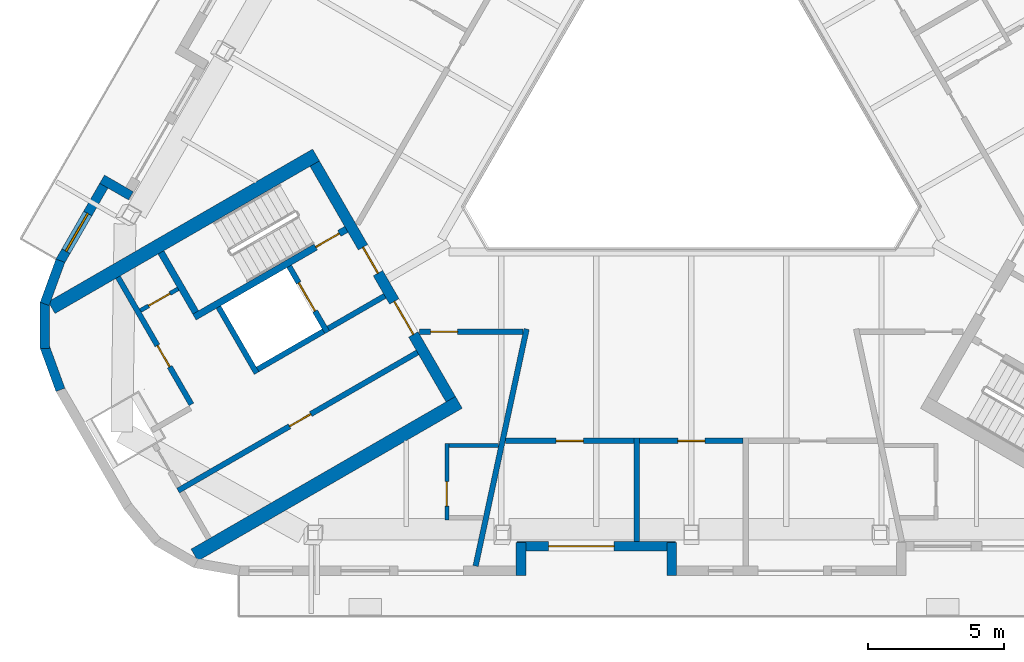
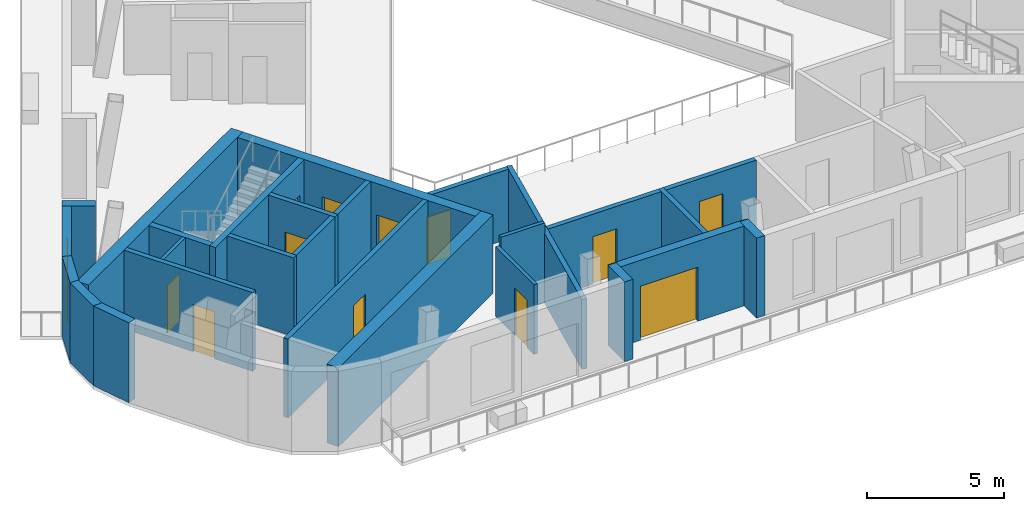
# One storey, part 3 of 13: 27 walls, 12 doors, 1 window, 13 openings.
"""IFC4 building model written with IfcOpenShell, lengths in metres."""

import ifcopenshell
import ifcopenshell.guid

model = None  # the IFC model being written
_history = None  # IfcOwnerHistory: only IFC2X3 demands one
_inside = {}  # id of a spatial element -> (the spatial element, [elements in it])
_under = {}  # id of a project, library or spatial element -> (it, [spatial elements below it])
_declared = {}  # id of a project -> (the project, [libraries it declares])
_typed = {}  # id of a type object -> (the type object, [elements of that type])
_made_of = {}  # id of a material, layer set ... -> (it, [elements and type objects made of it])


def new_model(schema):
    """Start an empty IFC model of exactly this schema.

    Asked for "IFC4X3", IfcOpenShell would pick the latest addendum, in which some entities
    have other attributes; the version numbers below select the first issue.
    IFC2X3 requires an IfcOwnerHistory on every rooted entity: one is made here for all.
    """
    global model, _history
    if schema == "IFC4X3":
        model = ifcopenshell.file(schema_version=(4, 3, 0, 0))
    else:
        model = ifcopenshell.file(schema=schema)
    _inside.clear()
    _under.clear()
    _declared.clear()
    _typed.clear()
    _made_of.clear()
    _history = None
    if model.schema == "IFC2X3":
        org = make("IfcOrganization", Name="unknown")
        user = make(
            "IfcPersonAndOrganization",
            ThePerson=make("IfcPerson", FamilyName="unknown"),
            TheOrganization=org,
        )
        app = make(
            "IfcApplication",
            ApplicationDeveloper=org,
            Version="unknown",
            ApplicationFullName="unknown",
            ApplicationIdentifier="unknown",
        )
        _history = make(
            "IfcOwnerHistory",
            OwningUser=user,
            OwningApplication=app,
            ChangeAction="ADDED",
            CreationDate=0,
        )
    return model


def make(cls, **values):
    """One entity of the class cls with the attributes given. An attribute that is None is left unset."""
    return model.create_entity(
        cls, **{name: value for name, value in values.items() if value is not None}
    )


def rooted(cls, **values):
    """An entity with a GlobalId (a new one), such as an element, a storey or a relation."""
    return make(cls, GlobalId=ifcopenshell.guid.new(), OwnerHistory=_history, **values)


def si_unit(unit_type, name, prefix=None):
    """IfcSIUnit, for example si_unit("LENGTHUNIT", "METRE", prefix="MILLI")."""
    return make("IfcSIUnit", UnitType=unit_type, Prefix=prefix, Name=name)


def assignment(units):
    """IfcUnitAssignment: the units of a project."""
    return None if units is None else make("IfcUnitAssignment", Units=units)


def point(xyz):
    """IfcCartesianPoint."""
    return None if xyz is None else make("IfcCartesianPoint", Coordinates=xyz)


def direction(xyz):
    """IfcDirection."""
    return None if xyz is None else make("IfcDirection", DirectionRatios=xyz)


def frame(location, z_axis=None, x_axis=None):
    """IfcAxis2Placement3D, a coordinate frame: its origin and axes. An axis left out is left unset."""
    return make(
        "IfcAxis2Placement3D",
        Location=point(location),
        Axis=direction(z_axis),
        RefDirection=direction(x_axis),
    )


def frame_2d(location, x_axis=None):
    """IfcAxis2Placement2D, a coordinate frame in the plane: its origin and x axis."""
    return make(
        "IfcAxis2Placement2D", Location=point(location), RefDirection=direction(x_axis)
    )


def origin():
    """The frame at (0, 0, 0) with its axes left unset."""
    return frame((0.0, 0.0, 0.0))


def place(relative_to, where):
    """IfcLocalPlacement: puts the frame where relative to a parent placement (None: the world)."""
    return make(
        "IfcLocalPlacement", PlacementRelTo=relative_to, RelativePlacement=where
    )


def context(
    kind, dimensions, precision=None, world=None, true_north=None, identifier=None
):
    """IfcGeometricRepresentationContext, for example the 3D "Model" context."""
    return make(
        "IfcGeometricRepresentationContext",
        ContextIdentifier=identifier,
        ContextType=kind,
        CoordinateSpaceDimension=dimensions,
        Precision=precision,
        WorldCoordinateSystem=world,
        TrueNorth=true_north,
    )


def subcontext(parent, identifier, kind, view, scale=None):
    """IfcGeometricRepresentationSubContext, for example "Body" below "Model"."""
    return make(
        "IfcGeometricRepresentationSubContext",
        ContextIdentifier=identifier,
        ContextType=kind,
        ParentContext=parent,
        TargetScale=scale,
        TargetView=view,
    )


def project(units=None, contexts=None):
    """IfcProject with its units and contexts."""
    return rooted(
        "IfcProject",
        Name="project",
        RepresentationContexts=contexts,
        UnitsInContext=assignment(units),
    )


def spatial(cls, under=None, at=None, **own):
    """A site, building, storey or space (cls), placed at a placement, below another one or the project."""
    s = rooted(cls, ObjectPlacement=at, **own)
    if under is not None:
        _under.setdefault(under.id(), (under, []))[1].append(s)
    return s


def profile(cls, at=None, kind="AREA", **sizes):
    """A parametric profile (cls). Its sizes go by their IFC names, for example OverallWidth=200.0."""
    return make(cls, ProfileType=kind, Position=at, **sizes)


def rectangle(**sizes):
    """IfcRectangleProfileDef."""
    return profile("IfcRectangleProfileDef", **sizes)


def extrude(swept, where, along, depth):
    """IfcExtrudedAreaSolid: the profile swept, set in the frame where, extruded along a direction by depth."""
    return make(
        "IfcExtrudedAreaSolid",
        SweptArea=swept,
        Position=where,
        ExtrudedDirection=direction(along),
        Depth=depth,
    )


def shape(context_of_items, identifier, shape_type, items):
    """IfcShapeRepresentation: the items that make up one representation, for example the "Body"."""
    return make(
        "IfcShapeRepresentation",
        ContextOfItems=context_of_items,
        RepresentationIdentifier=identifier,
        RepresentationType=shape_type,
        Items=items,
    )


def material(Name=None, Category=None):
    """IfcMaterial."""
    return make("IfcMaterial", Name=Name, Category=Category)


def layer(
    of_material, thickness, ventilated=None, Name=None, Category=None, Priority=None
):
    """IfcMaterialLayer: one layer of a wall or slab, of a material (None: an air gap)."""
    return make(
        "IfcMaterialLayer",
        Material=of_material,
        LayerThickness=thickness,
        IsVentilated=ventilated,
        Name=Name,
        Category=Category,
        Priority=Priority,
    )


def layer_set(layers, Name=None):
    """IfcMaterialLayerSet."""
    return make("IfcMaterialLayerSet", MaterialLayers=layers, LayerSetName=Name)


def made_of(thing, what):
    """Note that an element or type object is made of a material, layer set ...; save() writes the relation."""
    if what is not None:
        _made_of.setdefault(what.id(), (what, []))[1].append(thing)
    return thing


def type_object(cls, material=None, **own):
    """A type object (cls), such as IfcWallType, which elements share."""
    return made_of(rooted(cls, **own), material)


def element(
    cls,
    number,
    at=None,
    inside=None,
    cuts=None,
    type_object=None,
    material=None,
    context=None,
    identifier="Body",
    shape_type=None,
    held_by="IfcProductDefinitionShape",
    body=None,
    shapes=None,
    **own,
):
    """One element of the class cls, such as IfcWall. Its Tag is "e" and its number.

    at: its placement. inside: the storey or other place that contains it. cuts: it is an
    opening in that element (IfcRelVoidsElement). A single representation is given by context,
    identifier, shape_type and body (its items); several are given by shapes. held_by: the class
    of the entity that holds the representations. save() writes the other relations.
    """
    e = rooted(cls, Tag="e%d" % number, ObjectPlacement=at, **own)
    if body is not None:
        shapes = [shape(context, identifier, shape_type, body)]
    if shapes is not None:
        e.Representation = make(held_by, Representations=shapes)
    if inside is not None:
        _inside.setdefault(inside.id(), (inside, []))[1].append(e)
    if cuts is not None:
        rooted(
            "IfcRelVoidsElement", RelatingBuildingElement=cuts, RelatedOpeningElement=e
        )
    if type_object is not None:
        _typed.setdefault(type_object.id(), (type_object, []))[1].append(e)
    return made_of(e, material)


def fill(opening, filler):
    """IfcRelFillsElement: the door or window that sits in an opening."""
    return rooted(
        "IfcRelFillsElement",
        RelatingOpeningElement=opening,
        RelatedBuildingElement=filler,
    )


def aggregate(whole, parts):
    """IfcRelAggregates: a whole, such as a stair, and the parts it consists of."""
    return rooted("IfcRelAggregates", RelatingObject=whole, RelatedObjects=parts)


def save(model, path):
    """Write the relations noted so far, then the file.

    IfcRelAggregates (storeys below a building ...), IfcRelContainedInSpatialStructure (elements
    in a storey), IfcRelDefinesByType, IfcRelAssociatesMaterial and IfcRelDeclares: one each for
    every whole, place, type object, material and project.
    """
    for whole, parts in _under.values():
        aggregate(whole, parts)
    for where, things in _inside.values():
        rooted(
            "IfcRelContainedInSpatialStructure",
            RelatedElements=things,
            RelatingStructure=where,
        )
    for kind, things in _typed.values():
        rooted("IfcRelDefinesByType", RelatedObjects=things, RelatingType=kind)
    for what, things in _made_of.values():
        rooted("IfcRelAssociatesMaterial", RelatedObjects=things, RelatingMaterial=what)
    for by, libraries in _declared.values():
        rooted("IfcRelDeclares", RelatingContext=by, RelatedDefinitions=libraries)
    model.write(path)


model = new_model("IFC4")

# Units and contexts
model_context = context("Model", 3, precision=1e-05, world=origin(), true_north=direction((0.0, 1.0)))
body_context = subcontext(model_context, "Body", "Model", "MODEL_VIEW")
ifc_project = project(units=[si_unit("LENGTHUNIT", "METRE"), si_unit("AREAUNIT", "SQUARE_METRE"), si_unit("VOLUMEUNIT", "CUBIC_METRE"), si_unit("PLANEANGLEUNIT", "RADIAN"), si_unit("MASSUNIT", "GRAM", prefix="KILO")], contexts=[model_context])

# Site, building, storey
site_placement = place(None, origin())
site = spatial("IfcSite", under=ifc_project, at=site_placement, CompositionType="ELEMENT")
building_placement = place(site_placement, origin())
building = spatial("IfcBuilding", under=site, at=building_placement, Name="Apuvela Tower Hotel", CompositionType="ELEMENT")
storey_placement = place(building_placement, frame((0.0, 0.0, 298.5)))
storey = spatial("IfcBuildingStorey", under=building, at=storey_placement, Name="L74", CompositionType="ELEMENT", Elevation=298.5)

# Wall, openings, doors
ifc_material_1 = material(Name="Concrete C50/60", Category="concrete")
ifc_layer_1 = layer(ifc_material_1, 0.39990234375)
ifc_layer_set_1 = layer_set([ifc_layer_1], Name="COR-WALL-CORE-400")
wall_type_1 = type_object("IfcWallType", Name="COR-WALL-CORE-400", PredefinedType="SHEAR", material=ifc_layer_set_1)
wall_1_placement = place(storey_placement, frame((-13.844970703125, -2.219970703125, 0.0), z_axis=(0.0, 0.0, 1.0), x_axis=(0.500004234368, -0.866022959057, 0.0)))
wall_1 = element("IfcWall", 1, at=wall_1_placement, inside=storey, type_object=wall_type_1, Name="Core wall SW", PredefinedType="SHEAR", context=body_context, shape_type="SweptSolid", body=[
    extrude(rectangle(XDim=10.0, YDim=0.39990234375, at=frame_2d((5.0, 0.0))), origin(), (0.0, 0.0, 1.0), 3.5),
])
opening_1_placement = place(wall_1_placement, frame((3.550048828125, 0.0, 0.0)))
opening_1 = element("IfcOpeningElement", 2, at=opening_1_placement, cuts=wall_1, Name="Opening W-FD", PredefinedType="OPENING", context=body_context, shape_type="SweptSolid", body=[
    extrude(rectangle(XDim=1.10009765625, YDim=2.10009765625, at=frame_2d((0.550048828125, 1.050048828125))), frame((0.0, 0.2099609375, 0.0), z_axis=(0.0, -1.0, 0.0), x_axis=(1.0, 0.0, 0.0)), (0.0, 0.0, 1.0), 0.419921875),
])
opening_2_placement = place(wall_1_placement, frame((5.85009765625, 0.0, 0.0)))
opening_2 = element("IfcOpeningElement", 3, at=opening_2_placement, cuts=wall_1, Name="Opening W-GD", PredefinedType="OPENING", context=body_context, shape_type="SweptSolid", body=[
    extrude(rectangle(XDim=1.39990234375, YDim=2.10009765625, at=frame_2d((0.699951171875, 1.050048828125))), frame((0.0, 0.2099609375, 0.0), z_axis=(0.0, -1.0, 0.0), x_axis=(1.0, 0.0, 0.0)), (0.0, 0.0, 1.0), 0.419921875),
])
ifc_material_2 = material(Name="Steel fire door, powder coated", Category="steel")
door_type_1 = type_object("IfcDoorType", Name="COR-FD-1100", OperationType="NOTDEFINED", PredefinedType="DOOR", material=ifc_material_2)
door_1_placement = place(opening_1_placement, frame((1.10009765625, 0.0, 0.0), z_axis=(0.0, 0.0, 1.0), x_axis=(-1.0, 0.0, 0.0)))
door_1 = element("IfcDoor", 4, at=door_1_placement, inside=storey, type_object=door_type_1, Name="Firefighting lobby door W-FD", OperationType="SINGLE_SWING_LEFT", OverallHeight=2.10009765625, OverallWidth=1.10009765625, PredefinedType="DOOR", context=body_context, shape_type="SweptSolid", body=[
    extrude(rectangle(XDim=1.10009765625, YDim=2.10009765625, at=frame_2d((0.550048828125, 1.050048828125))), frame((0.0, 0.02490234375, 0.0), z_axis=(0.0, -1.0, 0.0), x_axis=(1.0, 0.0, 0.0)), (0.0, 0.0, 1.0), 0.050048828125),
])
fill(opening_1, door_1)
ifc_material_3 = material(Name="Glazed steel fire door", Category="steel")
door_type_2 = type_object("IfcDoorType", Name="COR-GD-1400", OperationType="DOUBLE_DOOR_SINGLE_SWING", PredefinedType="DOOR", material=ifc_material_3)
door_2_placement = place(opening_2_placement, frame((1.39990234375, 0.0, 0.0), z_axis=(0.0, 0.0, 1.0), x_axis=(-1.0, 0.0, 0.0)))
door_2 = element("IfcDoor", 5, at=door_2_placement, inside=storey, type_object=door_type_2, Name="Lift lobby door W-GD", OperationType="DOUBLE_DOOR_SINGLE_SWING", OverallHeight=2.10009765625, OverallWidth=1.39990234375, PredefinedType="DOOR", context=body_context, shape_type="SweptSolid", body=[
    extrude(rectangle(XDim=1.39990234375, YDim=2.10009765625, at=frame_2d((0.699951171875, 1.050048828125))), frame((0.0, 0.02490234375, 0.0), z_axis=(0.0, -1.0, 0.0), x_axis=(1.0, 0.0, 0.0)), (0.0, 0.0, 1.0), 0.050048828125),
])
fill(opening_2, door_2)

# Walls
ifc_layer_2 = layer(ifc_material_1, 0.5)
ifc_layer_set_2 = layer_set([ifc_layer_2], Name="COR-WALL-CORE-500")
wall_type_2 = type_object("IfcWallType", Name="COR-WALL-CORE-500", PredefinedType="SHEAR", material=ifc_layer_set_2)
for number, where, z_axis, x_axis, name in (
    (6, (-13.796630859375, -1.9033203125, 0.0), (0.0, 0.0, 1.0), (-0.866025449148, -0.499999921427, 0.0), "Core wall SW"),
    (7, (-8.546630859375, -10.99658203125, 0.0), (0.0, 0.0, 1.0), (-0.866025449148, -0.499999921427, 0.0), "Core wall SW"),
):
    element("IfcWall", number, at=place(storey_placement, frame(where, z_axis=z_axis, x_axis=x_axis)), inside=storey, type_object=wall_type_2, Name=name, PredefinedType="SHEAR", context=body_context, shape_type="SweptSolid", body=[
        extrude(rectangle(XDim=11.2216796875, YDim=0.5, at=frame_2d((5.61083984375, 0.0))), origin(), (0.0, 0.0, 1.0), 3.5),
    ])

# Wall, opening, door
ifc_material_4 = material(Name="Blockwork 150 mm plastered", Category="masonry")
ifc_layer_3 = layer(ifc_material_4, 0.14990234375)
ifc_layer_set_3 = layer_set([ifc_layer_3], Name="COR-WALL-PART-150")
wall_type_3 = type_object("IfcWallType", Name="COR-WALL-PART-150", PredefinedType="PARTITIONING", material=ifc_layer_set_3)
wall_2_placement = place(storey_placement, frame((-18.866455078125, -6.822265625, 0.0), z_axis=(0.0, 0.0, 1.0), x_axis=(-0.866028054938, -0.499995408039, 0.0)))
wall_2 = element("IfcWall", 8, at=wall_2_placement, inside=storey, type_object=wall_type_3, Name="Partition SW", PredefinedType="PARTITIONING", context=body_context, shape_type="SweptSolid", body=[
    extrude(rectangle(XDim=1.60009765625, YDim=0.14990234375, at=frame_2d((0.800048828125, 0.0))), origin(), (0.0, 0.0, 1.0), 3.5),
])
opening_3_placement = place(wall_2_placement, frame((0.35009765625, 0.0, 0.0)))
opening_3 = element("IfcOpeningElement", 9, at=opening_3_placement, cuts=wall_2, Name="Opening W-RD", PredefinedType="OPENING", context=body_context, shape_type="SweptSolid", body=[
    extrude(rectangle(XDim=0.89990234375, YDim=2.10009765625, at=frame_2d((0.449951171875, 1.050048828125))), frame((0.0, 0.0849609375, 0.0), z_axis=(0.0, -1.0, 0.0), x_axis=(1.0, 0.0, 0.0)), (0.0, 0.0, 1.0), 0.169921875),
])
ifc_material_5 = material(Name="Steel access door, powder coated", Category="steel")
door_type_3 = type_object("IfcDoorType", Name="COR-RD-900", OperationType="NOTDEFINED", PredefinedType="DOOR", material=ifc_material_5)
door_3_placement = place(opening_3_placement, frame((0.89990234375, 0.0, 0.0), z_axis=(0.0, 0.0, 1.0), x_axis=(-1.0, 0.0, 0.0)))
door_3 = element("IfcDoor", 10, at=door_3_placement, inside=storey, type_object=door_type_3, Name="Riser door W-RD", OperationType="SINGLE_SWING_RIGHT", OverallHeight=2.10009765625, OverallWidth=0.89990234375, PredefinedType="DOOR", context=body_context, shape_type="SweptSolid", body=[
    extrude(rectangle(XDim=0.89990234375, YDim=2.10009765625, at=frame_2d((0.449951171875, 1.050048828125))), frame((0.0, 0.02490234375, 0.0), z_axis=(0.0, -1.0, 0.0), x_axis=(1.0, 0.0, 0.0)), (0.0, 0.0, 1.0), 0.050048828125),
])
fill(opening_3, door_3)

ifc_material_6 = material(Name="Blockwork 200 mm plastered", Category="masonry")
ifc_layer_4 = layer(ifc_material_6, 0.199951171875)
ifc_layer_set_4 = layer_set([ifc_layer_4], Name="COR-WALL-PART-200")
wall_type_4 = type_object("IfcWallType", Name="COR-WALL-PART-200", PredefinedType="PARTITIONING", material=ifc_layer_set_4)
wall_3_placement = place(storey_placement, frame((-21.076171875, -6.39501953125, 0.0), z_axis=(0.0, 0.0, 1.0), x_axis=(0.50001468107, -0.866016927499, 0.0)))
wall_3 = element("IfcWall", 11, at=wall_3_placement, inside=storey, type_object=wall_type_4, Name="Partition SW", PredefinedType="PARTITIONING", context=body_context, shape_type="SweptSolid", body=[
    extrude(rectangle(XDim=5.399658203125, YDim=0.199951171875, at=frame_2d((2.69970703125, 0.0))), origin(), (0.0, 0.0, 1.0), 3.5),
])
opening_4_placement = place(wall_3_placement, frame((2.89990234375, 0.0, 0.0)))
opening_4 = element("IfcOpeningElement", 12, at=opening_4_placement, cuts=wall_3, Name="Opening W-RS1", PredefinedType="OPENING", context=body_context, shape_type="SweptSolid", body=[
    extrude(rectangle(XDim=0.89990234375, YDim=2.10009765625, at=frame_2d((0.449951171875, 1.050048828125))), frame((0.0, 0.10986328125, 0.0), z_axis=(0.0, -1.0, 0.0), x_axis=(1.0, 0.0, 0.0)), (0.0, 0.0, 1.0), 0.219970703125),
])
door_type_4 = type_object("IfcDoorType", Name="COR-DR-900", OperationType="NOTDEFINED", PredefinedType="DOOR", material=ifc_material_2)
door_4_placement = place(opening_4_placement, frame((0.89990234375, 0.0, 0.0), z_axis=(0.0, 0.0, 1.0), x_axis=(-1.0, 0.0, 0.0)))
door_4 = element("IfcDoor", 13, at=door_4_placement, inside=storey, type_object=door_type_4, Name="Store door W-RS1", OperationType="SINGLE_SWING_LEFT", OverallHeight=2.10009765625, OverallWidth=0.89990234375, PredefinedType="DOOR", context=body_context, shape_type="SweptSolid", body=[
    extrude(rectangle(XDim=0.89990234375, YDim=2.10009765625, at=frame_2d((0.449951171875, 1.050048828125))), frame((0.0, 0.02490234375, 0.0), z_axis=(0.0, -1.0, 0.0), x_axis=(1.0, 0.0, 0.0)), (0.0, 0.0, 1.0), 0.050048828125),
])
fill(opening_4, door_4)

# Wall
ifc_layer_5 = layer(ifc_material_1, 0.199951171875)
ifc_layer_set_5 = layer_set([ifc_layer_5], Name="COR-WALL-SHAFT-200")
wall_type_5 = type_object("IfcWallType", Name="COR-WALL-SHAFT-200", PredefinedType="SHEAR", material=ifc_layer_set_5)
wall_4_placement = place(storey_placement, frame((-17.38134765625, -7.49462890625, 0.0), z_axis=(0.0, 0.0, 1.0), x_axis=(0.500011755427, -0.866018616679, 0.0)))
element("IfcWall", 14, at=wall_4_placement, inside=storey, type_object=wall_type_5, Name="Shaft wall SW", PredefinedType="SHEAR", context=body_context, shape_type="SweptSolid", body=[
    extrude(rectangle(XDim=2.80029296875, YDim=0.199951171875, at=frame_2d((1.400146484375, 0.0))), origin(), (0.0, 0.0, 1.0), 3.5),
])

# Wall, opening, door
wall_5_placement = place(storey_placement, frame((-14.783203125, -5.99462890625, 0.0), z_axis=(0.0, 0.0, 1.0), x_axis=(0.49994636267, -0.866056369097, 0.0)))
wall_5 = element("IfcWall", 15, at=wall_5_placement, inside=storey, type_object=wall_type_5, Name="Shaft wall SW", PredefinedType="SHEAR", context=body_context, shape_type="SweptSolid", body=[
    extrude(rectangle(XDim=2.800048828125, YDim=0.199951171875, at=frame_2d((1.39990234375, 0.0))), origin(), (0.0, 0.0, 1.0), 3.5),
])
opening_5_placement = place(wall_5_placement, frame((0.699951171875, 0.0, 0.0)))
opening_5 = element("IfcOpeningElement", 16, at=opening_5_placement, cuts=wall_5, Name="Opening W-LD-FS2", PredefinedType="OPENING", context=body_context, shape_type="SweptSolid", body=[
    extrude(rectangle(XDim=1.199951171875, YDim=2.10009765625, at=frame_2d((0.60009765625, 1.050048828125))), frame((0.0, 0.10986328125, 0.0), z_axis=(0.0, -1.0, 0.0), x_axis=(1.0, 0.0, 0.0)), (0.0, 0.0, 1.0), 0.219970703125),
])
ifc_material_7 = material(Name="Stainless steel lift landing door", Category="steel")
door_type_5 = type_object("IfcDoorType", Name="COR-LD-1200", OperationType="DOUBLE_DOOR_SLIDING", PredefinedType="DOOR", material=ifc_material_7)
door_5_placement = place(opening_5_placement, origin())
door_5 = element("IfcDoor", 17, at=door_5_placement, inside=storey, type_object=door_type_5, Name="Lift landing door W-LD-FS2", OperationType="DOUBLE_DOOR_SLIDING", OverallHeight=2.10009765625, OverallWidth=1.199951171875, PredefinedType="DOOR", context=body_context, shape_type="SweptSolid", body=[
    extrude(rectangle(XDim=1.199951171875, YDim=2.10009765625, at=frame_2d((0.60009765625, 1.050048828125))), frame((0.0, 0.02490234375, 0.0), z_axis=(0.0, -1.0, 0.0), x_axis=(1.0, 0.0, 0.0)), (0.0, 0.0, 1.0), 0.050048828125),
])
fill(opening_5, door_5)

# Walls
wall_6_placement = place(storey_placement, frame((-13.519775390625, -8.383056640625, 0.0), z_axis=(0.0, 0.0, 1.0), x_axis=(-0.866034573852, -0.49998411664, 0.0)))
element("IfcWall", 18, at=wall_6_placement, inside=storey, type_object=wall_type_5, Name="Shaft wall SW", PredefinedType="SHEAR", context=body_context, shape_type="SweptSolid", body=[
    extrude(rectangle(XDim=2.7998046875, YDim=0.199951171875, at=frame_2d((1.39990234375, 0.0))), origin(), (0.0, 0.0, 1.0), 3.5),
])
wall_7_placement = place(storey_placement, frame((-11.26806640625, -7.0830078125, 0.0), z_axis=(0.0, 0.0, 1.0), x_axis=(-0.866050077142, -0.499957262057, 0.0)))
element("IfcWall", 19, at=wall_7_placement, inside=storey, type_object=wall_type_5, Name="Shaft wall SW", PredefinedType="SHEAR", context=body_context, shape_type="SweptSolid", body=[
    extrude(rectangle(XDim=2.400146484375, YDim=0.199951171875, at=frame_2d((1.2001953125, 0.0))), origin(), (0.0, 0.0, 1.0), 3.5),
])

# Wall, opening, door
wall_8_placement = place(storey_placement, frame((-10.068115234375, -9.16162109375, 0.0), z_axis=(0.0, 0.0, 1.0), x_axis=(-0.866032725843, -0.499987317609, 0.0)))
wall_8 = element("IfcWall", 20, at=wall_8_placement, inside=storey, type_object=wall_type_5, Name="Shaft wall SW", PredefinedType="SHEAR", context=body_context, shape_type="SweptSolid", body=[
    extrude(rectangle(XDim=10.159912109375, YDim=0.199951171875, at=frame_2d((5.080078125, 0.0))), origin(), (0.0, 0.0, 1.0), 3.5),
])
opening_6_placement = place(wall_8_placement, frame((4.530029296875, 0.0, 0.0)))
opening_6 = element("IfcOpeningElement", 21, at=opening_6_placement, cuts=wall_8, Name="Opening W-RE1", PredefinedType="OPENING", context=body_context, shape_type="SweptSolid", body=[
    extrude(rectangle(XDim=0.89990234375, YDim=2.10009765625, at=frame_2d((0.449951171875, 1.050048828125))), frame((0.0, 0.10986328125, 0.0), z_axis=(0.0, -1.0, 0.0), x_axis=(1.0, 0.0, 0.0)), (0.0, 0.0, 1.0), 0.219970703125),
])
door_6_placement = place(opening_6_placement, origin())
door_6 = element("IfcDoor", 22, at=door_6_placement, inside=storey, type_object=door_type_4, Name="Store door W-RE1", OperationType="SINGLE_SWING_LEFT", OverallHeight=2.10009765625, OverallWidth=0.89990234375, PredefinedType="DOOR", context=body_context, shape_type="SweptSolid", body=[
    extrude(rectangle(XDim=0.89990234375, YDim=2.10009765625, at=frame_2d((0.449951171875, 1.050048828125))), frame((0.0, 0.02490234375, 0.0), z_axis=(0.0, -1.0, 0.0), x_axis=(1.0, 0.0, 0.0)), (0.0, 0.0, 1.0), 0.050048828125),
])
fill(opening_6, door_6)

ifc_layer_6 = layer(ifc_material_1, 0.25)
ifc_layer_set_6 = layer_set([ifc_layer_6], Name="COR-WALL-STAIR-250")
wall_type_6 = type_object("IfcWallType", Name="COR-WALL-STAIR-250", PredefinedType="SHEAR", material=ifc_layer_set_6)
wall_9_placement = place(storey_placement, frame((-12.6806640625, -4.636474609375, 0.0), z_axis=(0.0, 0.0, 1.0), x_axis=(-0.866021702275, -0.500006411147, 0.0)))
wall_9 = element("IfcWall", 23, at=wall_9_placement, inside=storey, type_object=wall_type_6, Name="Stair wall SW", PredefinedType="SHEAR", context=body_context, shape_type="SweptSolid", body=[
    extrude(rectangle(XDim=6.4501953125, YDim=0.25, at=frame_2d((3.22509765625, 0.0))), origin(), (0.0, 0.0, 1.0), 3.5),
])
opening_7_placement = place(wall_9_placement, frame((0.300048828125, 0.0, 0.0)))
opening_7 = element("IfcOpeningElement", 24, at=opening_7_placement, cuts=wall_9, Name="Opening W-SD", PredefinedType="OPENING", context=body_context, shape_type="SweptSolid", body=[
    extrude(rectangle(XDim=1.0, YDim=2.10009765625, at=frame_2d((0.5, 1.050048828125))), frame((0.0, 0.135009765625, 0.0), z_axis=(0.0, -1.0, 0.0), x_axis=(1.0, 0.0, 0.0)), (0.0, 0.0, 1.0), 0.27001953125),
])
door_type_6 = type_object("IfcDoorType", Name="COR-SD-1000", OperationType="NOTDEFINED", PredefinedType="DOOR", material=ifc_material_2)
door_7_placement = place(opening_7_placement, frame((1.0, 0.0, 0.0), z_axis=(0.0, 0.0, 1.0), x_axis=(-1.0, 0.0, 0.0)))
door_7 = element("IfcDoor", 25, at=door_7_placement, inside=storey, type_object=door_type_6, Name="Stair door W-SD", OperationType="SINGLE_SWING_LEFT", OverallHeight=2.10009765625, OverallWidth=1.0, PredefinedType="DOOR", context=body_context, shape_type="SweptSolid", body=[
    extrude(rectangle(XDim=1.0, YDim=2.10009765625, at=frame_2d((0.5, 1.050048828125))), frame((0.0, 0.02490234375, 0.0), z_axis=(0.0, -1.0, 0.0), x_axis=(1.0, 0.0, 0.0)), (0.0, 0.0, 1.0), 0.050048828125),
])
fill(opening_7, door_7)

# Walls
wall_10_placement = place(storey_placement, frame((-19.49560546875, -5.482421875, 0.0), z_axis=(0.0, 0.0, 1.0), x_axis=(0.499990435942, -0.866030925526, 0.0)))
element("IfcWall", 26, at=wall_10_placement, inside=storey, type_object=wall_type_6, Name="Stair wall SW", PredefinedType="SHEAR", context=body_context, shape_type="SweptSolid", body=[
    extrude(rectangle(XDim=2.5498046875, YDim=0.25, at=frame_2d((1.27490234375, 0.0))), origin(), (0.0, 0.0, 1.0), 3.5),
])
ifc_material_8 = material(Name="Concrete C40/50, dark pigmented precast panel", Category="concrete")
ifc_layer_7 = layer(ifc_material_8, 0.35009765625)
ifc_layer_set_7 = layer_set([ifc_layer_7], Name="ENV-WALL-350")
wall_type_7 = type_object("IfcWallType", Name="ENV-WALL-350", PredefinedType="SOLIDWALL", material=ifc_layer_set_7)
wall_11_placement = place(storey_placement, frame((-20.603515625, -3.4033203125, 0.0), z_axis=(0.0, 0.0, 1.0), x_axis=(-0.866092288191, 0.499884134912, 0.0)))
element("IfcWall", 27, at=wall_11_placement, inside=storey, type_object=wall_type_7, Name="External wall L74-08", PredefinedType="SOLIDWALL", context=body_context, shape_type="SweptSolid", body=[
    extrude(rectangle(XDim=1.219970703125, YDim=0.35009765625, at=frame_2d((0.60986328125, 0.0))), origin(), (0.0, 0.0, 1.0), 3.550048828125),
])

# Wall, opening, window
wall_12_placement = place(storey_placement, frame((-21.421142578125, -2.7294921875, 0.0), z_axis=(0.0, 0.0, 1.0), x_axis=(-0.500040399856, -0.86600207766, 0.0)))
wall_12 = element("IfcWall", 28, at=wall_12_placement, inside=storey, type_object=wall_type_7, Name="External wall L74-09", PredefinedType="SOLIDWALL", context=body_context, shape_type="SweptSolid", body=[
    extrude(rectangle(XDim=3.567138671875, YDim=0.35009765625, at=frame_2d((1.78369140625, 0.0))), origin(), (0.0, 0.0, 1.0), 3.550048828125),
])
opening_8_placement = place(wall_12_placement, frame((1.530029296875, 0.0, 0.300048828125)))
opening_8 = element("IfcOpeningElement", 29, at=opening_8_placement, cuts=wall_12, Name="Opening WN16", PredefinedType="OPENING", context=body_context, shape_type="SweptSolid", body=[
    extrude(rectangle(XDim=1.60009765625, YDim=2.64990234375, at=frame_2d((0.800048828125, 1.324951171875))), frame((0.0, 0.18505859375, 0.0), z_axis=(0.0, -1.0, 0.0), x_axis=(1.0, 0.0, 0.0)), (0.0, 0.0, 1.0), 0.3701171875),
])
ifc_material_9 = material(Name="Glass, dark tinted laminated insulated glazing unit", Category="glass")
window_type = type_object("IfcWindowType", Name="ENV-WIN-1600x2650", PartitioningType="SINGLE_PANEL", PredefinedType="WINDOW", material=ifc_material_9)
window_placement = place(opening_8_placement, origin())
window = element("IfcWindow", 30, at=window_placement, inside=storey, type_object=window_type, Name="Window WN16", OverallHeight=2.64990234375, OverallWidth=1.60009765625, PartitioningType="SINGLE_PANEL", PredefinedType="WINDOW", context=body_context, shape_type="SweptSolid", body=[
    extrude(rectangle(XDim=1.60009765625, YDim=2.64990234375, at=frame_2d((0.800048828125, 1.324951171875))), frame((0.0, 0.030029296875, 0.0), z_axis=(0.0, -1.0, 0.0), x_axis=(1.0, 0.0, 0.0)), (0.0, 0.0, 1.0), 0.06005859375),
])
fill(opening_8, window)

# Walls
for number, where, z_axis, x_axis, name in (
    (31, (-23.19189453125, -5.791015625, 0.0), (0.0, 0.0, 1.0), (-0.342033102914, -0.93968790378, 0.0), "External wall L74-10"),
    (32, (-23.75927734375, -7.318603515625, 0.0), (0.0, 0.0, 1.0), (0.0, -1.0, 0.0), "External wall L74-11"),
    (33, (-23.769775390625, -8.9482421875, 0.0), (0.0, 0.0, 1.0), (0.342033102914, -0.93968790378, 0.0), "External wall L74-12"),
):
    element("IfcWall", number, at=place(storey_placement, frame(where, z_axis=z_axis, x_axis=x_axis)), inside=storey, type_object=wall_type_7, Name=name, PredefinedType="SOLIDWALL", context=body_context, shape_type="SweptSolid", body=[
        extrude(rectangle(XDim=1.689453125, YDim=0.35009765625, at=frame_2d((0.8447265625, 0.0))), origin(), (0.0, 0.0, 1.0), 3.550048828125),
    ])
wall_13_placement = place(storey_placement, frame((-6.26220703125, -17.361572265625, 0.0), z_axis=(0.0, 0.0, 1.0), x_axis=(0.0, 1.0, 0.0)))
element("IfcWall", 34, at=wall_13_placement, inside=storey, type_object=wall_type_7, Name="External wall L74-18", PredefinedType="SOLIDWALL", context=body_context, shape_type="SweptSolid", body=[
    extrude(rectangle(XDim=1.219970703125, YDim=0.35009765625, at=frame_2d((0.60986328125, 0.0))), origin(), (0.0, 0.0, 1.0), 3.550048828125),
])

# Wall, opening, door
wall_14_placement = place(storey_placement, frame((-6.406982421875, -16.28662109375, 0.0), z_axis=(0.0, 0.0, 1.0), x_axis=(1.0, 0.0, 0.0)))
wall_14 = element("IfcWall", 35, at=wall_14_placement, inside=storey, type_object=wall_type_7, Name="External wall L74-19", PredefinedType="SOLIDWALL", context=body_context, shape_type="SweptSolid", body=[
    extrude(rectangle(XDim=5.826904296875, YDim=0.35009765625, at=frame_2d((2.91357421875, 0.0))), origin(), (0.0, 0.0, 1.0), 3.550048828125),
])
opening_9_placement = place(wall_14_placement, frame((1.163818359375, 0.0, 0.0)))
opening_9 = element("IfcOpeningElement", 36, at=opening_9_placement, cuts=wall_14, Name="Opening BD24", PredefinedType="OPENING", context=body_context, shape_type="SweptSolid", body=[
    extrude(rectangle(XDim=2.39990234375, YDim=2.39990234375, at=frame_2d((1.199951171875, 1.199951171875))), frame((0.0, 0.18505859375, 0.0), z_axis=(0.0, -1.0, 0.0), x_axis=(1.0, 0.0, 0.0)), (0.0, 0.0, 1.0), 0.3701171875),
])
ifc_material_10 = material(Name="Aluminium 6063-T6, dark bronze anodised frame with dark tinted laminated glass", Category="aluminium")
door_type_7 = type_object("IfcDoorType", Name="ENV-DOOR-BALCONY-2400x2400", OperationType="SLIDING_TO_LEFT", PredefinedType="DOOR", material=ifc_material_10)
door_8_placement = place(opening_9_placement, frame((2.39990234375, 0.0, 0.0), z_axis=(0.0, 0.0, 1.0), x_axis=(-1.0, 0.0, 0.0)))
door_8 = element("IfcDoor", 37, at=door_8_placement, inside=storey, type_object=door_type_7, Name="Balcony door BD24", OperationType="SLIDING_TO_LEFT", OverallHeight=2.39990234375, OverallWidth=2.39990234375, PredefinedType="DOOR", context=body_context, shape_type="SweptSolid", body=[
    extrude(rectangle(XDim=2.39990234375, YDim=2.39990234375, at=frame_2d((1.199951171875, 1.199951171875))), frame((0.0, 0.02490234375, 0.0), z_axis=(0.0, -1.0, 0.0), x_axis=(1.0, 0.0, 0.0)), (0.0, 0.0, 1.0), 0.050048828125),
])
fill(opening_9, door_8)

# Walls
wall_15_placement = place(storey_placement, frame((-0.72509765625, -16.1416015625, 0.0), z_axis=(0.0, 0.0, 1.0), x_axis=(0.0, -1.0, 0.0)))
element("IfcWall", 38, at=wall_15_placement, inside=storey, type_object=wall_type_7, Name="External wall L74-20", PredefinedType="SOLIDWALL", context=body_context, shape_type="SweptSolid", body=[
    extrude(rectangle(XDim=1.219970703125, YDim=0.35009765625, at=frame_2d((0.60986328125, 0.0))), origin(), (0.0, 0.0, 1.0), 3.550048828125),
])
ifc_material_11 = material(Name="Gypsum board partition on twin steel stud", Category="steel")
ifc_layer_8 = layer(ifc_material_11, 0.199951171875)
ifc_layer_set_8 = layer_set([ifc_layer_8], Name="GST-PW1")
wall_type_8 = type_object("IfcWallType", Name="GST-PW1", PredefinedType="PARTITIONING", material=ifc_layer_set_8)
wall_16_placement = place(storey_placement, frame((-7.929931640625, -17.01171875, 0.0), z_axis=(0.0, 0.0, 1.0), x_axis=(0.210200768645, 0.97765824134, 0.0)))
element("IfcWall", 39, at=wall_16_placement, inside=storey, type_object=wall_type_8, Name="L74 partition 01", PredefinedType="PARTITIONING", context=body_context, shape_type="SweptSolid", body=[
    extrude(rectangle(XDim=8.91064453125, YDim=0.199951171875, at=frame_2d((4.455322265625, 0.0))), origin(), (0.0, 0.0, 1.0), 3.10009765625),
])
wall_17_placement = place(storey_placement, frame((-2.0, -16.111572265625, 0.0), z_axis=(0.0, 0.0, 1.0), x_axis=(0.0, 1.0, 0.0)))
element("IfcWall", 40, at=wall_17_placement, inside=storey, type_object=wall_type_8, Name="L74 partition 02", PredefinedType="PARTITIONING", context=body_context, shape_type="SweptSolid", body=[
    extrude(rectangle(XDim=3.800048828125, YDim=0.199951171875, at=frame_2d((1.89990234375, 0.0))), origin(), (0.0, 0.0, 1.0), 3.10009765625),
])

# Wall, opening, door
ifc_material_12 = material(Name="Gypsum board corridor wall on twin steel stud, acoustic", Category="steel")
ifc_layer_9 = layer(ifc_material_12, 0.199951171875)
ifc_layer_set_9 = layer_set([ifc_layer_9], Name="GST-PW2")
wall_type_9 = type_object("IfcWallType", Name="GST-PW2", PredefinedType="PARTITIONING", material=ifc_layer_set_9)
wall_18_placement = place(storey_placement, frame((-6.180908203125, -8.39990234375, 0.0), z_axis=(0.0, 0.0, 1.0), x_axis=(-1.0, 0.0, 0.0)))
wall_18 = element("IfcWall", 41, at=wall_18_placement, inside=storey, type_object=wall_type_9, Name="L74 partition 09", PredefinedType="PARTITIONING", context=body_context, shape_type="SweptSolid", body=[
    extrude(rectangle(XDim=3.807373046875, YDim=0.199951171875, at=frame_2d((1.90380859375, 0.0))), origin(), (0.0, 0.0, 1.0), 3.10009765625),
])
opening_10_placement = place(wall_18_placement, frame((2.407470703125, 0.0, 0.0)))
opening_10 = element("IfcOpeningElement", 42, at=opening_10_placement, cuts=wall_18, Name="Opening GD30-02", PredefinedType="OPENING", context=body_context, shape_type="SweptSolid", body=[
    extrude(rectangle(XDim=1.0, YDim=2.10009765625, at=frame_2d((0.5, 1.050048828125))), frame((0.0, 0.10986328125, 0.0), z_axis=(0.0, -1.0, 0.0), x_axis=(1.0, 0.0, 0.0)), (0.0, 0.0, 1.0), 0.219970703125),
])
ifc_material_13 = material(Name="Timber door leaf in steel frame", Category="steel")
door_type_8 = type_object("IfcDoorType", Name="GST-D1", OperationType="NOTDEFINED", PredefinedType="DOOR", material=ifc_material_13)
door_9_placement = place(opening_10_placement, origin())
door_9 = element("IfcDoor", 43, at=door_9_placement, inside=storey, type_object=door_type_8, Name="Door L74-02", OperationType="SINGLE_SWING_RIGHT", OverallHeight=2.10009765625, OverallWidth=1.0, PredefinedType="DOOR", context=body_context, shape_type="SweptSolid", body=[
    extrude(rectangle(XDim=1.0, YDim=2.10009765625, at=frame_2d((0.5, 1.050048828125))), frame((0.0, 0.02490234375, 0.0), z_axis=(0.0, -1.0, 0.0), x_axis=(1.0, 0.0, 0.0)), (0.0, 0.0, 1.0), 0.050048828125),
])
fill(opening_10, door_9)

wall_19_placement = place(storey_placement, frame((-2.10009765625, -12.41162109375, 0.0), z_axis=(0.0, 0.0, 1.0), x_axis=(-1.0, 0.0, 0.0)))
wall_19 = element("IfcWall", 44, at=wall_19_placement, inside=storey, type_object=wall_type_9, Name="L74 partition 13", PredefinedType="PARTITIONING", context=body_context, shape_type="SweptSolid", body=[
    extrude(rectangle(XDim=4.738525390625, YDim=0.199951171875, at=frame_2d((2.369140625, 0.0))), origin(), (0.0, 0.0, 1.0), 3.10009765625),
])
opening_11_placement = place(wall_19_placement, frame((1.869384765625, 0.0, 0.0)))
opening_11 = element("IfcOpeningElement", 45, at=opening_11_placement, cuts=wall_19, Name="Opening GD30-03", PredefinedType="OPENING", context=body_context, shape_type="SweptSolid", body=[
    extrude(rectangle(XDim=1.0, YDim=2.10009765625, at=frame_2d((0.5, 1.050048828125))), frame((0.0, 0.10986328125, 0.0), z_axis=(0.0, -1.0, 0.0), x_axis=(1.0, 0.0, 0.0)), (0.0, 0.0, 1.0), 0.219970703125),
])
door_10_placement = place(opening_11_placement, origin())
door_10 = element("IfcDoor", 46, at=door_10_placement, inside=storey, type_object=door_type_8, Name="Door L74-03", OperationType="SINGLE_SWING_LEFT", OverallHeight=2.10009765625, OverallWidth=1.0, PredefinedType="DOOR", context=body_context, shape_type="SweptSolid", body=[
    extrude(rectangle(XDim=1.0, YDim=2.10009765625, at=frame_2d((0.5, 1.050048828125))), frame((0.0, 0.02490234375, 0.0), z_axis=(0.0, -1.0, 0.0), x_axis=(1.0, 0.0, 0.0)), (0.0, 0.0, 1.0), 0.050048828125),
])
fill(opening_11, door_10)

wall_20_placement = place(storey_placement, frame((1.89990234375, -12.41162109375, 0.0), z_axis=(0.0, 0.0, 1.0), x_axis=(-1.0, 0.0, 0.0)))
wall_20 = element("IfcWall", 47, at=wall_20_placement, inside=storey, type_object=wall_type_9, Name="L74 partition 14", PredefinedType="PARTITIONING", context=body_context, shape_type="SweptSolid", body=[
    extrude(rectangle(XDim=3.7998046875, YDim=0.199951171875, at=frame_2d((1.89990234375, 0.0))), origin(), (0.0, 0.0, 1.0), 3.10009765625),
])
opening_12_placement = place(wall_20_placement, frame((1.39990234375, 0.0, 0.0)))
opening_12 = element("IfcOpeningElement", 48, at=opening_12_placement, cuts=wall_20, Name="Opening GD30-04", PredefinedType="OPENING", context=body_context, shape_type="SweptSolid", body=[
    extrude(rectangle(XDim=1.0, YDim=2.10009765625, at=frame_2d((0.5, 1.050048828125))), frame((0.0, 0.10986328125, 0.0), z_axis=(0.0, -1.0, 0.0), x_axis=(1.0, 0.0, 0.0)), (0.0, 0.0, 1.0), 0.219970703125),
])
door_11_placement = place(opening_12_placement, origin())
door_11 = element("IfcDoor", 49, at=door_11_placement, inside=storey, type_object=door_type_8, Name="Door L74-04", OperationType="SINGLE_SWING_LEFT", OverallHeight=2.10009765625, OverallWidth=1.0, PredefinedType="DOOR", context=body_context, shape_type="SweptSolid", body=[
    extrude(rectangle(XDim=1.0, YDim=2.10009765625, at=frame_2d((0.5, 1.050048828125))), frame((0.0, 0.02490234375, 0.0), z_axis=(0.0, -1.0, 0.0), x_axis=(1.0, 0.0, 0.0)), (0.0, 0.0, 1.0), 0.050048828125),
])
fill(opening_12, door_11)

ifc_material_14 = material(Name="Moisture-resistant gypsum board wet wall on steel stud", Category="steel")
ifc_layer_10 = layer(ifc_material_14, 0.14990234375)
ifc_layer_set_10 = layer_set([ifc_layer_10], Name="GST-PW3")
wall_type_10 = type_object("IfcWallType", Name="GST-PW3", PredefinedType="PARTITIONING", material=ifc_layer_set_10)
wall_21_placement = place(storey_placement, frame((-8.98974609375, -12.51171875, 0.0), z_axis=(0.0, 0.0, 1.0), x_axis=(0.0, -1.0, 0.0)))
wall_21 = element("IfcWall", 50, at=wall_21_placement, inside=storey, type_object=wall_type_10, Name="L74 partition 10", PredefinedType="PARTITIONING", context=body_context, shape_type="SweptSolid", body=[
    extrude(rectangle(XDim=2.7998046875, YDim=0.14990234375, at=frame_2d((1.39990234375, 0.0))), origin(), (0.0, 0.0, 1.0), 3.10009765625),
])
opening_13_placement = place(wall_21_placement, frame((1.39990234375, 0.0, 0.0)))
opening_13 = element("IfcOpeningElement", 51, at=opening_13_placement, cuts=wall_21, Name="Opening GD30-01", PredefinedType="OPENING", context=body_context, shape_type="SweptSolid", body=[
    extrude(rectangle(XDim=0.89990234375, YDim=2.10009765625, at=frame_2d((0.449951171875, 1.050048828125))), frame((0.0, 0.0849609375, 0.0), z_axis=(0.0, -1.0, 0.0), x_axis=(1.0, 0.0, 0.0)), (0.0, 0.0, 1.0), 0.169921875),
])
door_type_9 = type_object("IfcDoorType", Name="GST-D2", OperationType="NOTDEFINED", PredefinedType="DOOR", material=ifc_material_13)
door_12_placement = place(opening_13_placement, origin())
door_12 = element("IfcDoor", 52, at=door_12_placement, inside=storey, type_object=door_type_9, Name="Door L74-01", OperationType="SINGLE_SWING_RIGHT", OverallHeight=2.10009765625, OverallWidth=0.89990234375, PredefinedType="DOOR", context=body_context, shape_type="SweptSolid", body=[
    extrude(rectangle(XDim=0.89990234375, YDim=2.10009765625, at=frame_2d((0.449951171875, 1.050048828125))), frame((0.0, 0.02490234375, 0.0), z_axis=(0.0, -1.0, 0.0), x_axis=(1.0, 0.0, 0.0)), (0.0, 0.0, 1.0), 0.050048828125),
])
fill(opening_13, door_12)

# Wall
wall_22_placement = place(storey_placement, frame((-8.914794921875, -12.586669921875, 0.0), z_axis=(0.0, 0.0, 1.0), x_axis=(1.0, 0.0, 0.0)))
element("IfcWall", 53, at=wall_22_placement, inside=storey, type_object=wall_type_10, Name="L74 partition 12", PredefinedType="PARTITIONING", context=body_context, shape_type="SweptSolid", body=[
    extrude(rectangle(XDim=1.833984375, YDim=0.14990234375, at=frame_2d((0.9169921875, 0.0))), origin(), (0.0, 0.0, 1.0), 3.550048828125),
])

save(model, "model.ifc")
